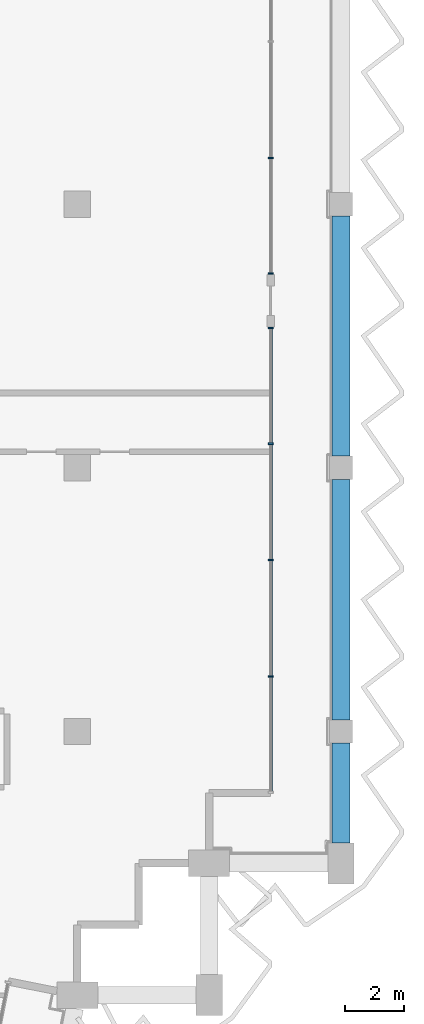
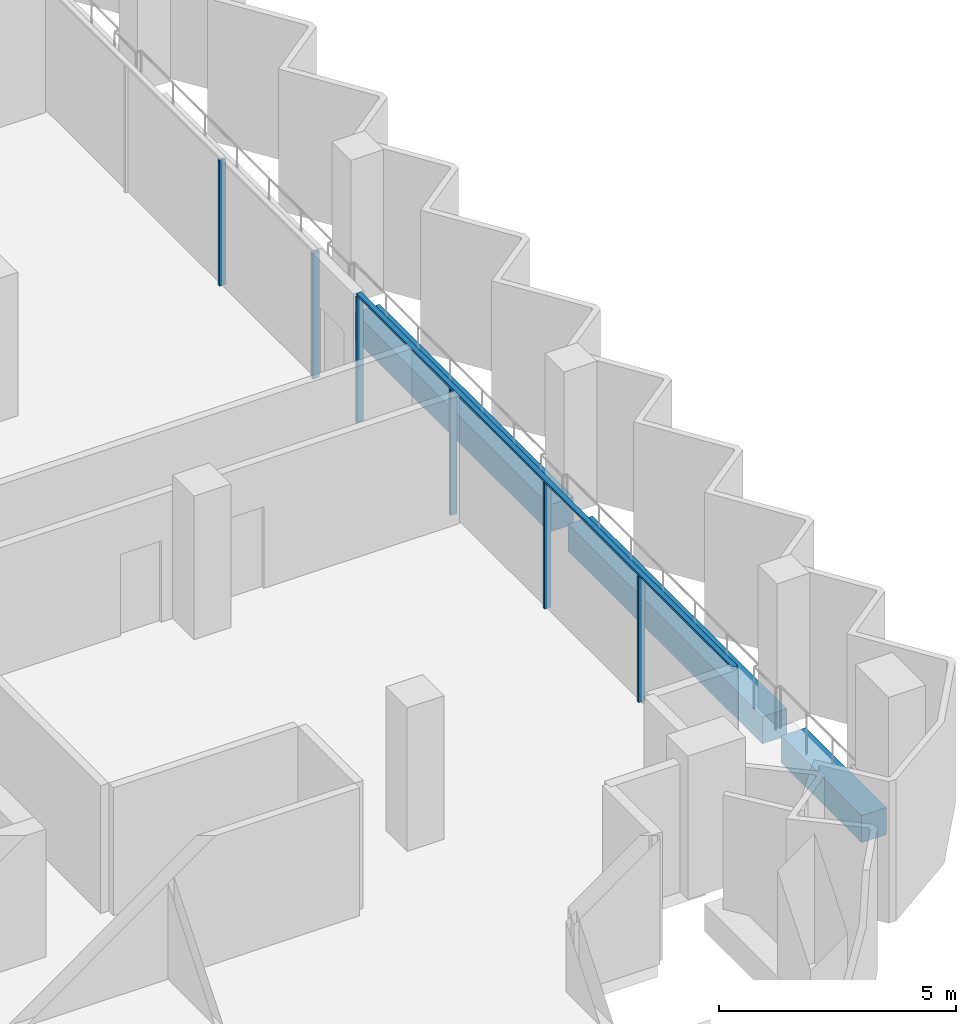
# One storey, part 4 of 14: 7 members, 3 beams, 2 elements without a shape of their own.
"""IFC4 building model written with IfcOpenShell, lengths in metres."""

from ifc_helpers import new_model, si_unit, direction, frame, origin, origin_2d, place, context, subcontext, project, spatial, rectangle, extrude, material, material_profile, profile_set, type_object, element, aggregate, save


model = new_model("IFC4")

# Units and contexts
model_context = context("Model", 3, precision=1e-05, world=origin(), true_north=direction((0.0, 1.0)))
body_context = subcontext(model_context, "Body", "Model", "MODEL_VIEW")
ifc_project = project(units=[si_unit("LENGTHUNIT", "METRE"), si_unit("AREAUNIT", "SQUARE_METRE"), si_unit("VOLUMEUNIT", "CUBIC_METRE"), si_unit("PLANEANGLEUNIT", "RADIAN"), si_unit("MASSUNIT", "GRAM", prefix="KILO")], contexts=[model_context])

# Site, building, storey
site_placement = place(None, origin())
site = spatial("IfcSite", under=ifc_project, at=site_placement, CompositionType="ELEMENT")
building_placement = place(site_placement, origin())
building = spatial("IfcBuilding", under=site, at=building_placement, Name="Hunhe Ridgeline Campus", CompositionType="ELEMENT")
storey_placement = place(building_placement, frame((0.0, 0.0, 291.89990234375)))
storey = spatial("IfcBuildingStorey", under=building, at=storey_placement, Name="L75", CompositionType="ELEMENT", Elevation=291.89990234375)

# Curtain wall, members
ifc_material_1 = material(Name="Aluminium 6063", Category="aluminium")
curtain_wall_type = type_object("IfcCurtainWallType", Name="Curtain wall CW-1", PredefinedType="NOTDEFINED", material=ifc_material_1)
curtain_wall_1_placement = place(storey_placement, origin())
curtain_wall_1 = element("IfcCurtainWall", 1, at=curtain_wall_1_placement, inside=storey, type_object=curtain_wall_type, Name="Curtain wall 11", PredefinedType="NOTDEFINED")
ifc_material_profile_1 = material_profile(ifc_material_1, rectangle(XDim=0.159912109375, YDim=0.06005859375, at=origin_2d()))
ifc_profile_set_1 = profile_set([ifc_material_profile_1], Name="Aluminium 6063")
member_type_1 = type_object("IfcMemberType", Name="CW-1 aluminium mullion", PredefinedType="MULLION", material=ifc_profile_set_1)
member_1_placement = place(storey_placement, frame((51.59912109375, 64.8759765625, 0.0), z_axis=(0.0, 0.0, 1.0), x_axis=(-1.0, 0.0, 0.0)))
member_1 = element("IfcMember", 2, at=member_1_placement, type_object=member_type_1, Name="CW-1 mullion 2", PredefinedType="MULLION", context=body_context, shape_type="SweptSolid", body=[
    extrude(rectangle(XDim=0.159912109375, YDim=0.06005859375, at=origin_2d()), origin(), (0.0, 0.0, 1.0), 3.239990234375),
])
member_2_placement = place(storey_placement, frame((51.59912109375, 68.850830078125, 0.0), z_axis=(0.0, 0.0, 1.0), x_axis=(-1.0, 0.0, 0.0)))
member_2 = element("IfcMember", 3, at=member_2_placement, type_object=member_type_1, Name="CW-1 mullion 3", PredefinedType="MULLION", context=body_context, shape_type="SweptSolid", body=[
    extrude(rectangle(XDim=0.159912109375, YDim=0.06005859375, at=origin_2d()), origin(), (0.0, 0.0, 1.0), 3.239990234375),
])
member_3_placement = place(storey_placement, frame((51.59912109375, 72.82568359375, 0.0), z_axis=(0.0, 0.0, 1.0), x_axis=(-1.0, 0.0, 0.0)))
member_3 = element("IfcMember", 4, at=member_3_placement, type_object=member_type_1, Name="CW-1 mullion 4", PredefinedType="MULLION", context=body_context, shape_type="SweptSolid", body=[
    extrude(rectangle(XDim=0.159912109375, YDim=0.06005859375, at=origin_2d()), origin(), (0.0, 0.0, 1.0), 3.239990234375),
])
member_4_placement = place(storey_placement, frame((51.59912109375, 76.7705078125, 0.0), z_axis=(0.0, 0.0, 1.0), x_axis=(-1.0, 0.0, 0.0)))
member_4 = element("IfcMember", 5, at=member_4_placement, type_object=member_type_1, Name="CW-1 mullion 5", PredefinedType="MULLION", context=body_context, shape_type="SweptSolid", body=[
    extrude(rectangle(XDim=0.159912109375, YDim=0.06005859375, at=origin_2d()), origin(), (0.0, 0.0, 1.0), 3.239990234375),
])

curtain_wall_2_placement = place(storey_placement, origin())
curtain_wall_2 = element("IfcCurtainWall", 6, at=curtain_wall_2_placement, inside=storey, type_object=curtain_wall_type, Name="Curtain wall 12", PredefinedType="NOTDEFINED")
member_5_placement = place(storey_placement, frame((51.59912109375, 78.630615234375, 0.0), z_axis=(0.0, 0.0, 1.0), x_axis=(-1.0, 0.0, 0.0)))
member_5 = element("IfcMember", 7, at=member_5_placement, type_object=member_type_1, Name="CW-1 mullion 1", PredefinedType="MULLION", context=body_context, shape_type="SweptSolid", body=[
    extrude(rectangle(XDim=0.159912109375, YDim=0.06005859375, at=origin_2d()), origin(), (0.0, 0.0, 1.0), 3.239990234375),
])
member_6_placement = place(storey_placement, frame((51.59912109375, 82.575439453125, 0.0), z_axis=(0.0, 0.0, 1.0), x_axis=(-1.0, 0.0, 0.0)))
member_6 = element("IfcMember", 8, at=member_6_placement, type_object=member_type_1, Name="CW-1 mullion 2", PredefinedType="MULLION", context=body_context, shape_type="SweptSolid", body=[
    extrude(rectangle(XDim=0.159912109375, YDim=0.06005859375, at=origin_2d()), origin(), (0.0, 0.0, 1.0), 3.239990234375),
])
aggregate(curtain_wall_2, [member_5, member_6])

# Member
ifc_material_profile_2 = material_profile(ifc_material_1, rectangle(XDim=0.1201171875, YDim=0.06005859375, at=origin_2d()))
ifc_profile_set_2 = profile_set([ifc_material_profile_2], Name="Aluminium 6063")
member_type_2 = type_object("IfcMemberType", Name="CW-1 aluminium transom", PredefinedType="USERDEFINED", material=ifc_profile_set_2)
member_7_placement = place(storey_placement, frame((51.59912109375, 60.90087890625, 3.27001953125), z_axis=(0.0, 1.0, 0.0), x_axis=(-1.0, 0.0, 0.0)))
member_7 = element("IfcMember", 9, at=member_7_placement, type_object=member_type_2, Name="CW-1 transom 1", ObjectType="TRANSOM", PredefinedType="USERDEFINED", context=body_context, shape_type="SweptSolid", body=[
    extrude(rectangle(XDim=0.1201171875, YDim=0.06005859375, at=origin_2d()), origin(), (0.0, 0.0, 1.0), 15.899658203125),
])

aggregate(curtain_wall_1, [member_7, member_1, member_2, member_3, member_4])

# Beams
ifc_material_2 = material(Name="Concrete C50", Category="concrete")
ifc_material_profile_3 = material_profile(ifc_material_2, rectangle(XDim=0.60009765625, YDim=0.699951171875, at=origin_2d()))
ifc_profile_set_3 = profile_set([ifc_material_profile_3], Name="Concrete C50")
beam_type = type_object("IfcBeamType", Name="RC spandrel beam 600x700 Concrete C50", PredefinedType="SPANDREL", material=ifc_profile_set_3)
beam_placement = place(storey_placement, frame((54.0, 59.199951171875, -0.599853515625), z_axis=(0.0, 1.0, 0.0), x_axis=(-1.0, 0.0, 0.0)))
element("IfcBeam", 10, at=beam_placement, inside=storey, type_object=beam_type, Name="Spandrel beam B4-12 L75", PredefinedType="SPANDREL", context=body_context, shape_type="SweptSolid", body=[
    extrude(rectangle(XDim=0.60009765625, YDim=0.699951171875, at=origin_2d()), origin(), (0.0, 0.0, 1.0), 3.400146484375),
])
for number, where, z_axis, x_axis, name in (
    (11, (54.0, 63.39990234375, -0.599853515625), (0.0, 1.0, 0.0), (-1.0, 0.0, 0.0), "Spandrel beam B4-13 L75"),
    (12, (54.0, 72.39990234375, -0.599853515625), (0.0, 1.0, 0.0), (-1.0, 0.0, 0.0), "Spandrel beam B4-14 L75"),
):
    element("IfcBeam", number, at=place(storey_placement, frame(where, z_axis=z_axis, x_axis=x_axis)), inside=storey, type_object=beam_type, Name=name, PredefinedType="SPANDREL", context=body_context, shape_type="SweptSolid", body=[
        extrude(rectangle(XDim=0.60009765625, YDim=0.699951171875, at=origin_2d()), origin(), (0.0, 0.0, 1.0), 8.2001953125),
    ])

save(model, "model.ifc")
